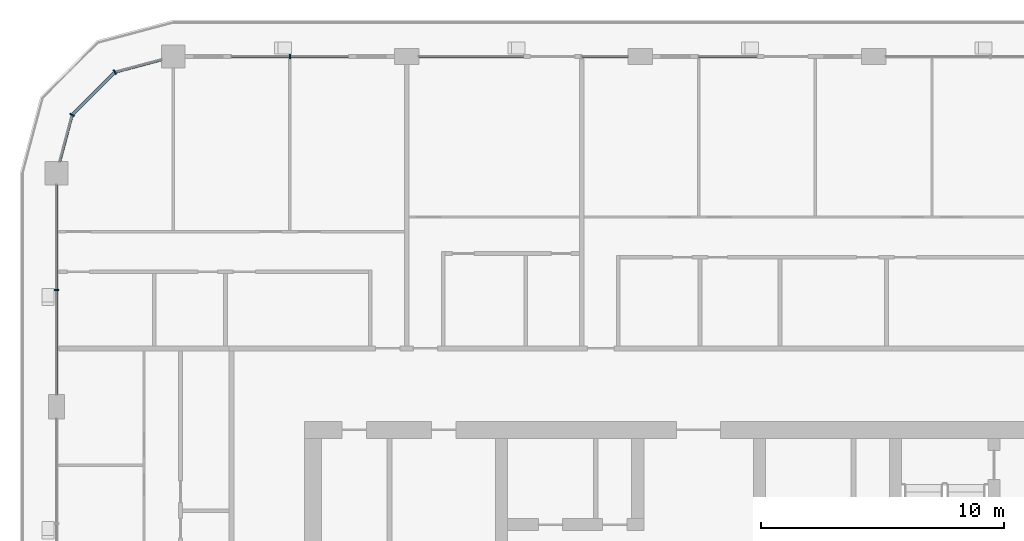
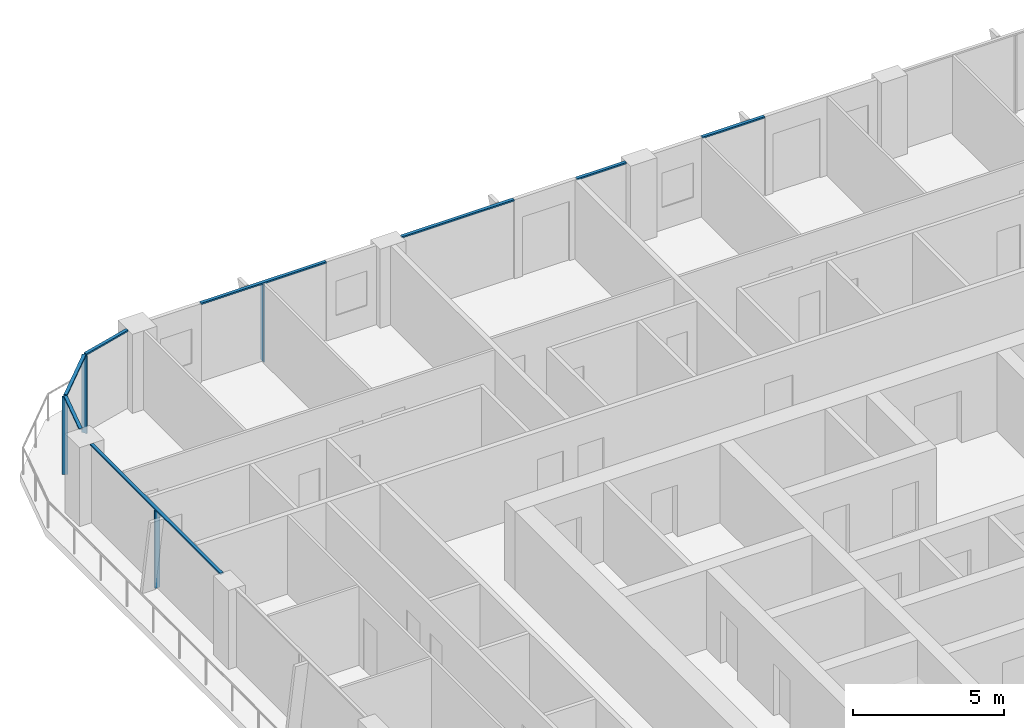
# One storey, part 5 of 23: 12 members, 5 elements without a shape of their own.
"""IFC4 building model written with IfcOpenShell, lengths in metres."""

from ifc_helpers import new_model, si_unit, direction, frame, origin, origin_2d, place, context, subcontext, project, spatial, rectangle, extrude, material, layer, layer_set, material_profile, profile_set, type_object, element, aggregate, save


model = new_model("IFC4")

# Units and contexts
model_context = context("Model", 3, precision=1e-05, world=origin(), true_north=direction((0.0, 1.0)))
body_context = subcontext(model_context, "Body", "Model", "MODEL_VIEW")
ifc_project = project(units=[si_unit("LENGTHUNIT", "METRE"), si_unit("AREAUNIT", "SQUARE_METRE"), si_unit("VOLUMEUNIT", "CUBIC_METRE"), si_unit("PLANEANGLEUNIT", "RADIAN"), si_unit("MASSUNIT", "GRAM", prefix="KILO")], contexts=[model_context])

# Site, building, storey
site_placement = place(None, origin())
site = spatial("IfcSite", under=ifc_project, at=site_placement, CompositionType="ELEMENT")
building_placement = place(site_placement, origin())
building = spatial("IfcBuilding", under=site, at=building_placement, Name="Madar Terraces", CompositionType="ELEMENT")
storey_placement = place(building_placement, frame((0.0, 0.0, 226.300048828125)))
storey = spatial("IfcBuildingStorey", under=building, at=storey_placement, Name="L59", CompositionType="ELEMENT", Elevation=226.300048828125)

# Curtain wall, member
ifc_material_1 = material(Name="Glass, ceramic frit dark grey, with black aluminium frame", Category="aluminium")
ifc_layer = layer(ifc_material_1, 0.199951171875)
ifc_layer_set = layer_set([ifc_layer], Name="Facade curtain wall, fritted glass")
curtain_wall_type = type_object("IfcCurtainWallType", Name="Facade curtain wall, fritted glass", PredefinedType="NOTDEFINED", material=ifc_layer_set)
curtain_wall_1_placement = place(storey_placement, origin())
curtain_wall_1 = element("IfcCurtainWall", 1, at=curtain_wall_1_placement, inside=storey, type_object=curtain_wall_type, Name="Outer skin curtain wall north bay 5", PredefinedType="NOTDEFINED")
ifc_material_2 = material(Name="Aluminium, black anodised", Category="aluminium")
ifc_material_profile_1 = material_profile(ifc_material_2, rectangle(XDim=0.199951171875, YDim=0.06005859375, at=origin_2d()), Name="Facade mullion 60x200")
ifc_profile_set_1 = profile_set([ifc_material_profile_1], Name="Aluminium, black anodised")
member_type_1 = type_object("IfcMemberType", Name="Facade mullion 60x200", PredefinedType="MULLION", material=ifc_profile_set_1)
member_1_placement = place(storey_placement, frame((14.39990234375, 52.800048828125, 0.0), z_axis=(0.0, 0.0, 1.0), x_axis=(0.0, -1.0, 0.0)))
member_1 = element("IfcMember", 2, at=member_1_placement, type_object=member_type_1, Name="Mullion 1", PredefinedType="MULLION", context=body_context, shape_type="SweptSolid", body=[
    extrude(rectangle(XDim=0.199951171875, YDim=0.06005859375, at=origin_2d()), origin(), (0.0, 0.0, 1.0), 3.139892578125),
])

curtain_wall_2_placement = place(storey_placement, origin())
curtain_wall_2 = element("IfcCurtainWall", 3, at=curtain_wall_2_placement, inside=storey, type_object=curtain_wall_type, Name="Outer skin curtain wall west bay 1", PredefinedType="NOTDEFINED")
member_2_placement = place(storey_placement, frame((4.800048828125, 43.199951171875, 0.0), z_axis=(0.0, 0.0, 1.0), x_axis=(1.0, 0.0, 0.0)))
member_2 = element("IfcMember", 4, at=member_2_placement, type_object=member_type_1, Name="Mullion 1", PredefinedType="MULLION", context=body_context, shape_type="SweptSolid", body=[
    extrude(rectangle(XDim=0.199951171875, YDim=0.06005859375, at=origin_2d()), origin(), (0.0, 0.0, 1.0), 3.139892578125),
])

# Curtain wall, members
curtain_wall_3_placement = place(storey_placement, origin())
curtain_wall_3 = element("IfcCurtainWall", 5, at=curtain_wall_3_placement, inside=storey, type_object=curtain_wall_type, Name="Outer skin curtain wall north-west corner", PredefinedType="NOTDEFINED")
member_3_placement = place(storey_placement, frame((7.199951171875, 52.156982421875, 0.0), z_axis=(0.0, 0.0, 1.0), x_axis=(0.499999989586, -0.866025409797, 0.0)))
member_3 = element("IfcMember", 6, at=member_3_placement, type_object=member_type_1, Name="Mullion 1", PredefinedType="MULLION", context=body_context, shape_type="SweptSolid", body=[
    extrude(rectangle(XDim=0.199951171875, YDim=0.06005859375, at=origin_2d()), origin(), (0.0, 0.0, 1.0), 3.139892578125),
])
member_4_placement = place(storey_placement, frame((5.443115234375, 50.39990234375, 0.0), z_axis=(0.0, 0.0, 1.0), x_axis=(0.866025409797, -0.499999989586, 0.0)))
member_4 = element("IfcMember", 7, at=member_4_placement, type_object=member_type_1, Name="Mullion 2", PredefinedType="MULLION", context=body_context, shape_type="SweptSolid", body=[
    extrude(rectangle(XDim=0.199951171875, YDim=0.06005859375, at=origin_2d()), origin(), (0.0, 0.0, 1.0), 3.139892578125),
])

# Curtain wall, member
curtain_wall_4_placement = place(storey_placement, origin())
curtain_wall_4 = element("IfcCurtainWall", 8, at=curtain_wall_4_placement, inside=storey, type_object=curtain_wall_type, Name="Outer skin curtain wall north bay 3", PredefinedType="NOTDEFINED")
ifc_material_3 = material(Name="Aluminium, black anodised", Category="aluminium")
ifc_material_profile_2 = material_profile(ifc_material_3, rectangle(XDim=0.1201171875, YDim=0.06005859375, at=origin_2d()), Name="Facade transom 60x120")
ifc_profile_set_2 = profile_set([ifc_material_profile_2], Name="Aluminium, black anodised")
member_type_2 = type_object("IfcMemberType", Name="Facade transom 60x120", PredefinedType="USERDEFINED", material=ifc_profile_set_2)
member_5_placement = place(storey_placement, frame((33.60009765625, 52.800048828125, 3.169921875), z_axis=(-1.0, 0.0, 0.0), x_axis=(0.0, -1.0, 0.0)))
member_5 = element("IfcMember", 9, at=member_5_placement, type_object=member_type_2, Name="Transom 1", ObjectType="TRANSOM", PredefinedType="USERDEFINED", context=body_context, shape_type="SweptSolid", body=[
    extrude(rectangle(XDim=0.1201171875, YDim=0.06005859375, at=origin_2d()), origin(), (0.0, 0.0, 1.0), 2.400146484375),
])
aggregate(curtain_wall_4, [member_5])

# Curtain wall, members
curtain_wall_5_placement = place(storey_placement, origin())
curtain_wall_5 = element("IfcCurtainWall", 10, at=curtain_wall_5_placement, inside=storey, type_object=curtain_wall_type, Name="Outer skin curtain wall north bay 4", PredefinedType="NOTDEFINED")
member_6_placement = place(storey_placement, frame((28.300048828125, 52.800048828125, 3.169921875), z_axis=(-1.0, 0.0, 0.0), x_axis=(0.0, -1.0, 0.0)))
member_6 = element("IfcMember", 11, at=member_6_placement, type_object=member_type_2, Name="Transom 1", ObjectType="TRANSOM", PredefinedType="USERDEFINED", context=body_context, shape_type="SweptSolid", body=[
    extrude(rectangle(XDim=0.1201171875, YDim=0.06005859375, at=origin_2d()), origin(), (0.0, 0.0, 1.0), 1.900146484375),
])
member_7_placement = place(storey_placement, frame((24.0, 52.800048828125, 3.169921875), z_axis=(-1.0, 0.0, 0.0), x_axis=(0.0, -1.0, 0.0)))
member_7 = element("IfcMember", 12, at=member_7_placement, type_object=member_type_2, Name="Transom 2", ObjectType="TRANSOM", PredefinedType="USERDEFINED", context=body_context, shape_type="SweptSolid", body=[
    extrude(rectangle(XDim=0.1201171875, YDim=0.06005859375, at=origin_2d()), origin(), (0.0, 0.0, 1.0), 4.300048828125),
])
aggregate(curtain_wall_5, [member_6, member_7])

# Member
member_8_placement = place(storey_placement, frame((16.800048828125, 52.800048828125, 3.169921875), z_axis=(-1.0, 0.0, 0.0), x_axis=(0.0, -1.0, 0.0)))
member_8 = element("IfcMember", 13, at=member_8_placement, type_object=member_type_2, Name="Transom 1", ObjectType="TRANSOM", PredefinedType="USERDEFINED", context=body_context, shape_type="SweptSolid", body=[
    extrude(rectangle(XDim=0.1201171875, YDim=0.06005859375, at=origin_2d()), origin(), (0.0, 0.0, 1.0), 4.800048828125),
])

aggregate(curtain_wall_1, [member_1, member_8])

member_9_placement = place(storey_placement, frame((4.800048828125, 47.52490234375, 3.169921875), z_axis=(0.0, -1.0, 0.0), x_axis=(1.0, 0.0, 0.0)))
member_9 = element("IfcMember", 14, at=member_9_placement, type_object=member_type_2, Name="Transom 1", ObjectType="TRANSOM", PredefinedType="USERDEFINED", context=body_context, shape_type="SweptSolid", body=[
    extrude(rectangle(XDim=0.1201171875, YDim=0.06005859375, at=origin_2d()), origin(), (0.0, 0.0, 1.0), 8.625),
])

aggregate(curtain_wall_2, [member_2, member_9])

member_10_placement = place(storey_placement, frame((9.125, 52.672607421875, 3.169921875), z_axis=(-0.965953602414, -0.258715360935, 0.0), x_axis=(0.258715360935, -0.965953602414, 0.0)))
member_10 = element("IfcMember", 15, at=member_10_placement, type_object=member_type_2, Name="Transom 1", ObjectType="TRANSOM", PredefinedType="USERDEFINED", context=body_context, shape_type="SweptSolid", body=[
    extrude(rectangle(XDim=0.1201171875, YDim=0.06005859375, at=origin_2d()), origin(), (0.0, 0.0, 1.0), 1.962890625),
])

member_11_placement = place(storey_placement, frame((7.1787109375, 52.1357421875, 3.169921875), z_axis=(-0.707056433593, -0.707157125196, 0.0), x_axis=(0.707157125196, -0.707056433593, 0.0)))
member_11 = element("IfcMember", 16, at=member_11_placement, type_object=member_type_2, Name="Transom 2", ObjectType="TRANSOM", PredefinedType="USERDEFINED", context=body_context, shape_type="SweptSolid", body=[
    extrude(rectangle(XDim=0.1201171875, YDim=0.06005859375, at=origin_2d()), origin(), (0.0, 0.0, 1.0), 2.424560546875),
])

member_12_placement = place(storey_placement, frame((5.435302734375, 50.37109375, 3.169921875), z_axis=(-0.258831412352, -0.96592251241, 0.0), x_axis=(0.96592251241, -0.258831412352, 0.0)))
member_12 = element("IfcMember", 17, at=member_12_placement, type_object=member_type_2, Name="Transom 3", ObjectType="TRANSOM", PredefinedType="USERDEFINED", context=body_context, shape_type="SweptSolid", body=[
    extrude(rectangle(XDim=0.1201171875, YDim=0.06005859375, at=origin_2d()), origin(), (0.0, 0.0, 1.0), 1.962890625),
])

aggregate(curtain_wall_3, [member_3, member_10, member_4, member_11, member_12])

save(model, "model.ifc")
